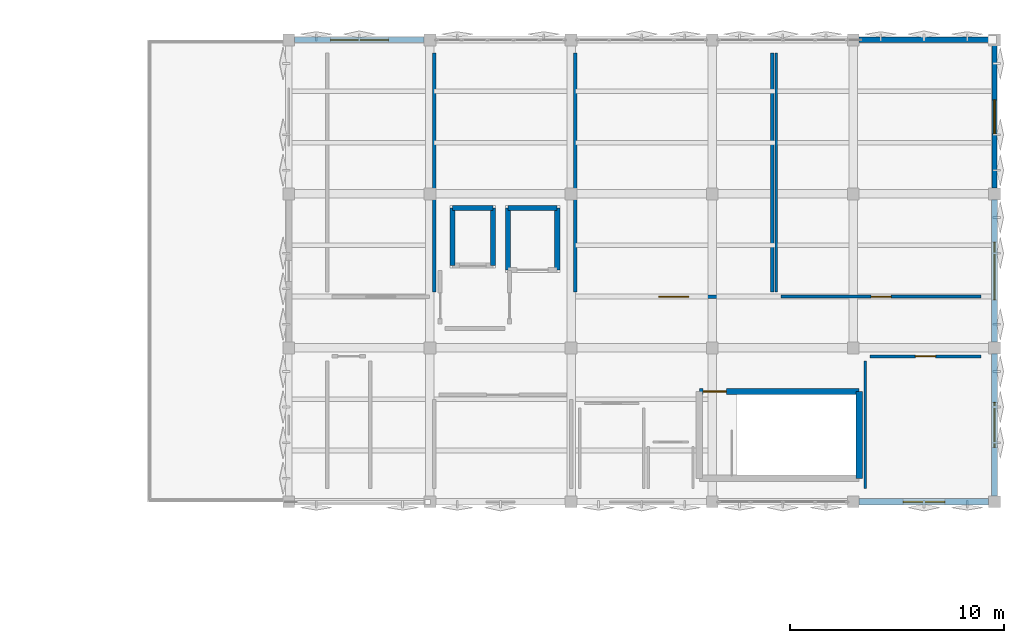
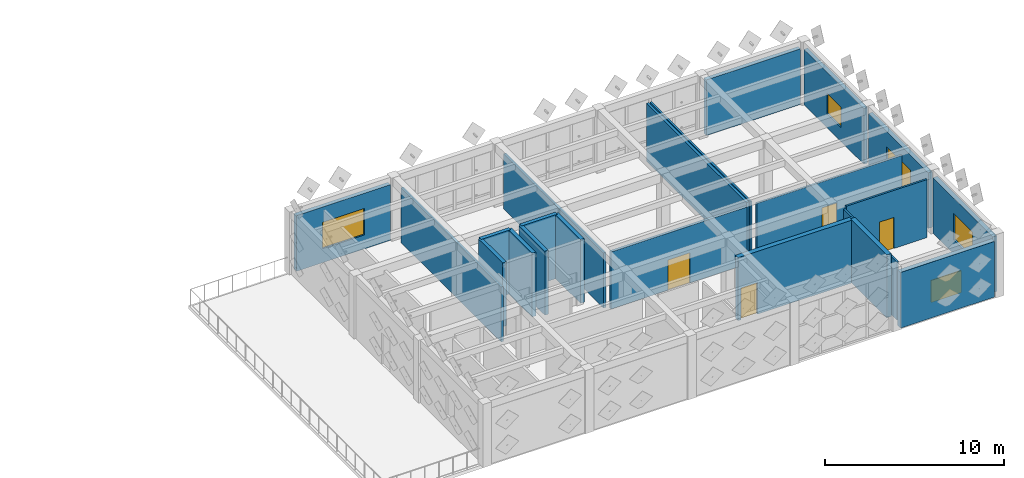
# One storey, part 23 of 29: 22 walls, 5 windows, 4 doors, 9 openings.
"""IFC4 building model written with IfcOpenShell, lengths in metres."""

from ifc_helpers import new_model, si_unit, direction, frame, frame_2d, origin, place, context, subcontext, project, spatial, rectangle, extrude, material, layer, layer_set, type_object, element, fill, save


model = new_model("IFC4")

# Units and contexts
model_context = context("Model", 3, precision=1e-05, world=origin(), true_north=direction((0.0, 1.0)))
body_context = subcontext(model_context, "Body", "Model", "MODEL_VIEW")
ifc_project = project(units=[si_unit("LENGTHUNIT", "METRE"), si_unit("AREAUNIT", "SQUARE_METRE"), si_unit("VOLUMEUNIT", "CUBIC_METRE"), si_unit("PLANEANGLEUNIT", "RADIAN"), si_unit("MASSUNIT", "GRAM", prefix="KILO")], contexts=[model_context])

# Site, building, storey
site_placement = place(None, origin())
site = spatial("IfcSite", under=ifc_project, at=site_placement, CompositionType="ELEMENT")
building_placement = place(site_placement, origin())
building = spatial("IfcBuilding", under=site, at=building_placement, Name="Kharisveld Research Institute", CompositionType="ELEMENT")
storey_placement = place(building_placement, frame((0.0, 0.0, 32.10009765625)))
storey = spatial("IfcBuildingStorey", under=building, at=storey_placement, Name="L07", CompositionType="ELEMENT", Elevation=32.10009765625)

# Walls
ifc_material_1 = material(Name="Concrete C40/50", Category="concrete")
ifc_layer_1 = layer(ifc_material_1, 0.239990234375)
ifc_layer_set_1 = layer_set([ifc_layer_1], Name="WL_CORE_240")
wall_type_1 = type_object("IfcWallType", Name="WL_CORE_240", PredefinedType="SHEAR", material=ifc_layer_set_1)
wall_1_placement = place(storey_placement, frame((135.449951171875, 50.25, 0.0), z_axis=(0.0, 0.0, 1.0), x_axis=(0.0, 1.0, 0.0)))
element("IfcWall", 1, at=wall_1_placement, inside=storey, type_object=wall_type_1, Name="WL:LFT:FFL-02:L07:W", PredefinedType="SHEAR", context=body_context, shape_type="SweptSolid", body=[
    extrude(rectangle(XDim=2.699951171875, YDim=0.239990234375, at=frame_2d((1.35009765625, 0.0))), origin(), (0.0, 0.0, 1.0), 4.349853515625),
])
wall_2_placement = place(storey_placement, frame((135.449951171875, 52.949951171875, 0.0), z_axis=(0.0, 0.0, 1.0), x_axis=(1.0, 0.0, 0.0)))
element("IfcWall", 2, at=wall_2_placement, inside=storey, type_object=wall_type_1, Name="WL:LFT:FFL-02:L07:N", PredefinedType="SHEAR", context=body_context, shape_type="SweptSolid", body=[
    extrude(rectangle(XDim=1.900146484375, YDim=0.239990234375, at=frame_2d((0.9501953125, 0.0))), origin(), (0.0, 0.0, 1.0), 4.349853515625),
])
wall_3_placement = place(storey_placement, frame((137.35009765625, 52.949951171875, 0.0), z_axis=(0.0, 0.0, 1.0), x_axis=(0.0, -1.0, 0.0)))
element("IfcWall", 3, at=wall_3_placement, inside=storey, type_object=wall_type_1, Name="WL:LFT:FFL-02:L07:E", PredefinedType="SHEAR", context=body_context, shape_type="SweptSolid", body=[
    extrude(rectangle(XDim=2.699951171875, YDim=0.239990234375, at=frame_2d((1.35009765625, 0.0))), origin(), (0.0, 0.0, 1.0), 4.349853515625),
])
wall_4_placement = place(storey_placement, frame((138.050048828125, 50.050048828125, 0.0), z_axis=(0.0, 0.0, 1.0), x_axis=(0.0, 1.0, 0.0)))
element("IfcWall", 4, at=wall_4_placement, inside=storey, type_object=wall_type_1, Name="WL:LFT:GL-01:L07:W", PredefinedType="SHEAR", context=body_context, shape_type="SweptSolid", body=[
    extrude(rectangle(XDim=2.89990234375, YDim=0.239990234375, at=frame_2d((1.449951171875, 0.0))), origin(), (0.0, 0.0, 1.0), 4.349853515625),
])
wall_5_placement = place(storey_placement, frame((138.050048828125, 52.949951171875, 0.0), z_axis=(0.0, 0.0, 1.0), x_axis=(1.0, 0.0, 0.0)))
element("IfcWall", 5, at=wall_5_placement, inside=storey, type_object=wall_type_1, Name="WL:LFT:GL-01:L07:N", PredefinedType="SHEAR", context=body_context, shape_type="SweptSolid", body=[
    extrude(rectangle(XDim=2.300048828125, YDim=0.239990234375, at=frame_2d((1.14990234375, 0.0))), origin(), (0.0, 0.0, 1.0), 4.349853515625),
])
wall_6_placement = place(storey_placement, frame((140.35009765625, 52.949951171875, 0.0), z_axis=(0.0, 0.0, 1.0), x_axis=(0.0, -1.0, 0.0)))
element("IfcWall", 6, at=wall_6_placement, inside=storey, type_object=wall_type_1, Name="WL:LFT:GL-01:L07:E", PredefinedType="SHEAR", context=body_context, shape_type="SweptSolid", body=[
    extrude(rectangle(XDim=2.89990234375, YDim=0.239990234375, at=frame_2d((1.449951171875, 0.0))), origin(), (0.0, 0.0, 1.0), 4.349853515625),
])

# Wall, opening, door
ifc_material_2 = material(Name="Concrete C40/50", Category="concrete")
ifc_layer_2 = layer(ifc_material_2, 0.300048828125)
ifc_layer_set_2 = layer_set([ifc_layer_2], Name="WL_CORE_300")
wall_type_2 = type_object("IfcWallType", Name="WL_CORE_300", PredefinedType="SHEAR", material=ifc_layer_set_2)
wall_7_placement = place(storey_placement, frame((147.0, 44.360107421875, 0.0), z_axis=(0.0, 0.0, 1.0), x_axis=(1.0, 0.0, 0.0)))
wall_7 = element("IfcWall", 7, at=wall_7_placement, inside=storey, type_object=wall_type_2, Name="WL:STR:ST3:L07:N", PredefinedType="SHEAR", context=body_context, shape_type="SweptSolid", body=[
    extrude(rectangle(XDim=7.469970703125, YDim=0.300048828125, at=frame_2d((3.73486328125, 0.0))), origin(), (0.0, 0.0, 1.0), 4.27978515625),
])
opening_1_placement = place(wall_7_placement, frame((0.179931640625, 0.0, 0.0)))
opening_1 = element("IfcOpeningElement", 8, at=opening_1_placement, cuts=wall_7, Name="Opening DS-035", PredefinedType="OPENING", context=body_context, shape_type="SweptSolid", body=[
    extrude(rectangle(XDim=1.080078125, YDim=2.14990234375, at=frame_2d((0.5400390625, 1.074951171875))), frame((0.0, 0.14990234375, 0.0), z_axis=(0.0, -1.0, 0.0), x_axis=(1.0, 0.0, 0.0)), (0.0, 0.0, 1.0), 0.300048828125),
])
ifc_material_3 = material(Name="Flush Painted Hardwood and Anodised Aluminium", Category="wood")
door_type_1 = type_object("IfcDoorType", Name="DR_FD60_108", OperationType="NOTDEFINED", PredefinedType="DOOR", material=ifc_material_3)
door_1_placement = place(opening_1_placement, origin())
door_1 = element("IfcDoor", 9, at=door_1_placement, inside=storey, type_object=door_type_1, Name="DR:STR:ST3:L07", OperationType="SINGLE_SWING_RIGHT", OverallHeight=2.14990234375, OverallWidth=1.080078125, PredefinedType="DOOR", context=body_context, shape_type="SweptSolid", body=[
    extrude(rectangle(XDim=1.080078125, YDim=2.14990234375, at=frame_2d((0.5400390625, 1.074951171875))), frame((0.0, 0.02490234375, 0.0), z_axis=(0.0, -1.0, 0.0), x_axis=(1.0, 0.0, 0.0)), (0.0, 0.0, 1.0), 0.050048828125),
])
fill(opening_1, door_1)

# Wall
wall_8_placement = place(storey_placement, frame((154.469970703125, 44.360107421875, 0.0), z_axis=(0.0, 0.0, 1.0), x_axis=(0.0, -1.0, 0.0)))
element("IfcWall", 10, at=wall_8_placement, inside=storey, type_object=wall_type_2, Name="WL:STR:ST3:L07:E", PredefinedType="SHEAR", context=body_context, shape_type="SweptSolid", body=[
    extrude(rectangle(XDim=4.06005859375, YDim=0.300048828125, at=frame_2d((2.030029296875, 0.0))), origin(), (0.0, 0.0, 1.0), 4.27978515625),
])

# Wall, opening, window
ifc_material_4 = material(Name="Lightweight Acoustic Spandrel", Category="mineral")
ifc_layer_3 = layer(ifc_material_4, 0.2451171875)
ifc_layer_set_3 = layer_set([ifc_layer_3], Name="WL_EXT_245")
wall_type_3 = type_object("IfcWallType", Name="WL_EXT_245", PredefinedType="STANDARD", material=ifc_layer_set_3)
wall_9_placement = place(storey_placement, frame((160.800048828125, 60.530029296875, 0.0), z_axis=(0.0, 0.0, 1.0), x_axis=(0.0, -1.0, 0.0)))
wall_9 = element("IfcWall", 11, at=wall_9_placement, inside=storey, type_object=wall_type_3, Name="WL:V2:L07:E3", PredefinedType="STANDARD", context=body_context, shape_type="SweptSolid", body=[
    extrude(rectangle(XDim=6.659912109375, YDim=0.2451171875, at=frame_2d((3.330078125, 0.0))), origin(), (0.0, 0.0, 1.0), 3.789794921875),
])
opening_2_placement = place(wall_9_placement, frame((2.530029296875, 0.0, 0.949951171875)))
opening_2 = element("IfcOpeningElement", 12, at=opening_2_placement, cuts=wall_9, Name="Opening WN-08", PredefinedType="OPENING", context=body_context, shape_type="SweptSolid", body=[
    extrude(rectangle(XDim=1.60009765625, YDim=1.39990234375, at=frame_2d((0.800048828125, 0.699951171875))), frame((0.0, 0.12255859375, 0.0), z_axis=(0.0, -1.0, 0.0), x_axis=(1.0, 0.0, 0.0)), (0.0, 0.0, 1.0), 0.2451171875),
])
ifc_material_5 = material(Name="Low-E Double Glazing", Category="glass")
window_type_1 = type_object("IfcWindowType", Name="WN_08", PartitioningType="DOUBLE_PANEL_VERTICAL", PredefinedType="WINDOW", material=ifc_material_5)
window_1_placement = place(opening_2_placement, origin())
window_1 = element("IfcWindow", 13, at=window_1_placement, inside=storey, type_object=window_type_1, Name="WN:V2:L07:E3", OverallHeight=1.39990234375, OverallWidth=1.60009765625, PartitioningType="SINGLE_PANEL", PredefinedType="WINDOW", context=body_context, shape_type="SweptSolid", body=[
    extrude(rectangle(XDim=1.60009765625, YDim=1.39990234375, at=frame_2d((0.800048828125, 0.699951171875))), frame((0.0, 0.030029296875, 0.0), z_axis=(0.0, -1.0, 0.0), x_axis=(1.0, 0.0, 0.0)), (0.0, 0.0, 1.0), 0.06005859375),
])
fill(opening_2, window_1)

ifc_material_6 = material(Name="Precast Concrete C40/50 Thermal Wall", Category="concrete")
ifc_layer_4 = layer(ifc_material_6, 0.260009765625)
ifc_layer_set_4 = layer_set([ifc_layer_4], Name="WL_EXT_260")
wall_type_4 = type_object("IfcWallType", Name="WL_EXT_260", PredefinedType="STANDARD", material=ifc_layer_set_4)
wall_10_placement = place(storey_placement, frame((128.070068359375, 60.800048828125, 0.0), z_axis=(0.0, 0.0, 1.0), x_axis=(1.0, 0.0, 0.0)))
wall_10 = element("IfcWall", 14, at=wall_10_placement, inside=storey, type_object=wall_type_4, Name="WL:V2:L07:N2", PredefinedType="STANDARD", context=body_context, shape_type="SweptSolid", body=[
    extrude(rectangle(XDim=6.059814453125, YDim=0.260009765625, at=frame_2d((3.02978515625, 0.0))), origin(), (0.0, 0.0, 1.0), 3.789794921875),
])
opening_3_placement = place(wall_10_placement, frame((1.679931640625, 0.0, 0.949951171875)))
opening_3 = element("IfcOpeningElement", 15, at=opening_3_placement, cuts=wall_10, Name="Opening WN-07", PredefinedType="OPENING", context=body_context, shape_type="SweptSolid", body=[
    extrude(rectangle(XDim=2.699951171875, YDim=1.800048828125, at=frame_2d((1.35009765625, 0.89990234375))), frame((0.0, 0.1298828125, 0.0), z_axis=(0.0, -1.0, 0.0), x_axis=(1.0, 0.0, 0.0)), (0.0, 0.0, 1.0), 0.260009765625),
])
ifc_material_7 = material(Name="Low-E Double Glazing", Category="glass")
window_type_2 = type_object("IfcWindowType", Name="WN_07", PartitioningType="TRIPLE_PANEL_VERTICAL", PredefinedType="WINDOW", material=ifc_material_7)
window_2_placement = place(opening_3_placement, origin())
window_2 = element("IfcWindow", 16, at=window_2_placement, inside=storey, type_object=window_type_2, Name="WN:V2:L07:N2", OverallHeight=1.800048828125, OverallWidth=2.699951171875, PartitioningType="SINGLE_PANEL", PredefinedType="WINDOW", context=body_context, shape_type="SweptSolid", body=[
    extrude(rectangle(XDim=2.699951171875, YDim=1.800048828125, at=frame_2d((1.35009765625, 0.89990234375))), frame((0.0, 0.030029296875, 0.0), z_axis=(0.0, -1.0, 0.0), x_axis=(1.0, 0.0, 0.0)), (0.0, 0.0, 1.0), 0.06005859375),
])
fill(opening_3, window_2)

# Wall
wall_11_placement = place(storey_placement, frame((154.469970703125, 60.800048828125, 0.0), z_axis=(0.0, 0.0, 1.0), x_axis=(1.0, 0.0, 0.0)))
element("IfcWall", 17, at=wall_11_placement, inside=storey, type_object=wall_type_4, Name="WL:V2:L07:N6", PredefinedType="STANDARD", context=body_context, shape_type="SweptSolid", body=[
    extrude(rectangle(XDim=6.06005859375, YDim=0.260009765625, at=frame_2d((3.030029296875, 0.0))), origin(), (0.0, 0.0, 1.0), 3.789794921875),
])

# Wall, opening, window
wall_12_placement = place(storey_placement, frame((160.800048828125, 53.330078125, 0.0), z_axis=(0.0, 0.0, 1.0), x_axis=(0.0, -1.0, 0.0)))
wall_12 = element("IfcWall", 18, at=wall_12_placement, inside=storey, type_object=wall_type_4, Name="WL:V2:L07:E2", PredefinedType="STANDARD", context=body_context, shape_type="SweptSolid", body=[
    extrude(rectangle(XDim=6.66015625, YDim=0.260009765625, at=frame_2d((3.330078125, 0.0))), origin(), (0.0, 0.0, 1.0), 3.789794921875),
])
opening_4_placement = place(wall_12_placement, frame((1.97998046875, 0.0, 0.949951171875)))
opening_4 = element("IfcOpeningElement", 19, at=opening_4_placement, cuts=wall_12, Name="Opening WN-07", PredefinedType="OPENING", context=body_context, shape_type="SweptSolid", body=[
    extrude(rectangle(XDim=2.699951171875, YDim=1.800048828125, at=frame_2d((1.35009765625, 0.89990234375))), frame((0.0, 0.1298828125, 0.0), z_axis=(0.0, -1.0, 0.0), x_axis=(1.0, 0.0, 0.0)), (0.0, 0.0, 1.0), 0.260009765625),
])
window_3_placement = place(opening_4_placement, origin())
window_3 = element("IfcWindow", 20, at=window_3_placement, inside=storey, type_object=window_type_2, Name="WN:V2:L07:E2", OverallHeight=1.800048828125, OverallWidth=2.699951171875, PartitioningType="SINGLE_PANEL", PredefinedType="WINDOW", context=body_context, shape_type="SweptSolid", body=[
    extrude(rectangle(XDim=2.699951171875, YDim=1.800048828125, at=frame_2d((1.35009765625, 0.89990234375))), frame((0.0, 0.030029296875, 0.0), z_axis=(0.0, -1.0, 0.0), x_axis=(1.0, 0.0, 0.0)), (0.0, 0.0, 1.0), 0.06005859375),
])
fill(opening_4, window_3)

ifc_material_8 = material(Name="Precast Concrete C40/50 Thermal Wall", Category="concrete")
ifc_layer_5 = layer(ifc_material_8, 0.27490234375)
ifc_layer_set_5 = layer_set([ifc_layer_5], Name="WL_EXT_275")
wall_type_5 = type_object("IfcWallType", Name="WL_EXT_275", PredefinedType="STANDARD", material=ifc_layer_set_5)
wall_13_placement = place(storey_placement, frame((160.800048828125, 46.1298828125, 0.0), z_axis=(0.0, 0.0, 1.0), x_axis=(0.0, -1.0, 0.0)))
wall_13 = element("IfcWall", 21, at=wall_13_placement, inside=storey, type_object=wall_type_5, Name="WL:V2:L07:E1", PredefinedType="STANDARD", context=body_context, shape_type="SweptSolid", body=[
    extrude(rectangle(XDim=6.659912109375, YDim=0.27490234375, at=frame_2d((3.330078125, 0.0))), origin(), (0.0, 0.0, 1.0), 3.789794921875),
])
opening_5_placement = place(wall_13_placement, frame((2.280029296875, 0.0, 0.949951171875)))
opening_5 = element("IfcOpeningElement", 22, at=opening_5_placement, cuts=wall_13, Name="Opening WN-06", PredefinedType="OPENING", context=body_context, shape_type="SweptSolid", body=[
    extrude(rectangle(XDim=2.10009765625, YDim=1.800048828125, at=frame_2d((1.050048828125, 0.89990234375))), frame((0.0, 0.137451171875, 0.0), z_axis=(0.0, -1.0, 0.0), x_axis=(1.0, 0.0, 0.0)), (0.0, 0.0, 1.0), 0.27490234375),
])
ifc_material_9 = material(Name="Low-E Double Glazing", Category="glass")
window_type_3 = type_object("IfcWindowType", Name="WN_06", PartitioningType="DOUBLE_PANEL_VERTICAL", PredefinedType="WINDOW", material=ifc_material_9)
window_4_placement = place(opening_5_placement, origin())
window_4 = element("IfcWindow", 23, at=window_4_placement, inside=storey, type_object=window_type_3, Name="WN:V2:L07:E1", OverallHeight=1.800048828125, OverallWidth=2.10009765625, PartitioningType="SINGLE_PANEL", PredefinedType="WINDOW", context=body_context, shape_type="SweptSolid", body=[
    extrude(rectangle(XDim=2.10009765625, YDim=1.800048828125, at=frame_2d((1.050048828125, 0.89990234375))), frame((0.0, 0.030029296875, 0.0), z_axis=(0.0, -1.0, 0.0), x_axis=(1.0, 0.0, 0.0)), (0.0, 0.0, 1.0), 0.06005859375),
])
fill(opening_5, window_4)

ifc_material_10 = material(Name="Precast Concrete C40/50 Ochre Panel", Category="concrete")
ifc_layer_6 = layer(ifc_material_10, 0.304931640625)
ifc_layer_set_6 = layer_set([ifc_layer_6], Name="WL_EXT_305")
wall_type_6 = type_object("IfcWallType", Name="WL_EXT_305", PredefinedType="STANDARD", material=ifc_layer_set_6)
wall_14_placement = place(storey_placement, frame((160.530029296875, 39.199951171875, 0.0), z_axis=(0.0, 0.0, 1.0), x_axis=(-1.0, 0.0, 0.0)))
wall_14 = element("IfcWall", 24, at=wall_14_placement, inside=storey, type_object=wall_type_6, Name="WL:V2:L07:S7", PredefinedType="STANDARD", context=body_context, shape_type="SweptSolid", body=[
    extrude(rectangle(XDim=6.06005859375, YDim=0.304931640625, at=frame_2d((3.030029296875, 0.0))), origin(), (0.0, 0.0, 1.0), 3.789794921875),
])
opening_6_placement = place(wall_14_placement, frame((2.054931640625, 0.0, 0.949951171875)))
opening_6 = element("IfcOpeningElement", 25, at=opening_6_placement, cuts=wall_14, Name="Opening WN-12", PredefinedType="OPENING", context=body_context, shape_type="SweptSolid", body=[
    extrude(rectangle(XDim=1.949951171875, YDim=1.5, at=frame_2d((0.97509765625, 0.75))), frame((0.0, 0.15234375, 0.0), z_axis=(0.0, -1.0, 0.0), x_axis=(1.0, 0.0, 0.0)), (0.0, 0.0, 1.0), 0.304931640625),
])
ifc_material_11 = material(Name="Low-E Double Glazing", Category="glass")
window_type_4 = type_object("IfcWindowType", Name="WN_12", PartitioningType="DOUBLE_PANEL_VERTICAL", PredefinedType="WINDOW", material=ifc_material_11)
window_5_placement = place(opening_6_placement, origin())
window_5 = element("IfcWindow", 26, at=window_5_placement, inside=storey, type_object=window_type_4, Name="WN:V2:L07:S7", OverallHeight=1.5, OverallWidth=1.949951171875, PartitioningType="SINGLE_PANEL", PredefinedType="WINDOW", context=body_context, shape_type="SweptSolid", body=[
    extrude(rectangle(XDim=1.949951171875, YDim=1.5, at=frame_2d((0.97509765625, 0.75))), frame((0.0, 0.030029296875, 0.0), z_axis=(0.0, -1.0, 0.0), x_axis=(1.0, 0.0, 0.0)), (0.0, 0.0, 1.0), 0.06005859375),
])
fill(opening_6, window_5)

# Wall
ifc_material_12 = material(Name="Acoustic Drywall Partition", Category="mineral")
ifc_layer_7 = layer(ifc_material_12, 0.1650390625)
ifc_layer_set_7 = layer_set([ifc_layer_7], Name="WL_LAB_165")
wall_type_7 = type_object("IfcWallType", Name="WL_LAB_165", PredefinedType="PARTITIONING", material=ifc_layer_set_7)
wall_15_placement = place(storey_placement, frame((134.60009765625, 49.02001953125, 0.0), z_axis=(0.0, 0.0, 1.0), x_axis=(0.0, 1.0, 0.0)))
element("IfcWall", 27, at=wall_15_placement, inside=storey, type_object=wall_type_7, Name="WL:RM:V2:L07:WLA:E", PredefinedType="PARTITIONING", context=body_context, shape_type="SweptSolid", body=[
    extrude(rectangle(XDim=11.159912109375, YDim=0.1650390625, at=frame_2d((5.580078125, 0.0))), origin(), (0.0, 0.0, 1.0), 3.739990234375),
])

# Wall, opening, door
wall_16_placement = place(storey_placement, frame((141.419921875, 48.800048828125, 0.0), z_axis=(0.0, 0.0, 1.0), x_axis=(1.0, 0.0, 0.0)))
wall_16 = element("IfcWall", 28, at=wall_16_placement, inside=storey, type_object=wall_type_7, Name="WL:RM:V2:L07:WLB:S", PredefinedType="PARTITIONING", context=body_context, shape_type="SweptSolid", body=[
    extrude(rectangle(XDim=8.760009765625, YDim=0.1650390625, at=frame_2d((4.3798828125, 0.0))), origin(), (0.0, 0.0, 1.0), 3.889892578125),
])
opening_7_placement = place(wall_16_placement, frame((3.669921875, 0.0, 0.0)))
opening_7 = element("IfcOpeningElement", 29, at=opening_7_placement, cuts=wall_16, Name="Opening DI-258", PredefinedType="OPENING", context=body_context, shape_type="SweptSolid", body=[
    extrude(rectangle(XDim=1.419921875, YDim=2.06005859375, at=frame_2d((0.7099609375, 1.030029296875))), frame((0.0, 0.08251953125, 0.0), z_axis=(0.0, -1.0, 0.0), x_axis=(1.0, 0.0, 0.0)), (0.0, 0.0, 1.0), 0.1650390625),
])
ifc_material_13 = material(Name="Flush Painted Hardwood and Anodised Aluminium", Category="wood")
door_type_2 = type_object("IfcDoorType", Name="DR_VAR_18", OperationType="NOTDEFINED", PredefinedType="DOOR", material=ifc_material_13)
door_2_placement = place(opening_7_placement, origin())
door_2 = element("IfcDoor", 30, at=door_2_placement, inside=storey, type_object=door_type_2, Name="DR:RM:V2:L07:WLB:S", OperationType="SINGLE_SWING_LEFT", OverallHeight=2.06005859375, OverallWidth=1.419921875, PredefinedType="DOOR", context=body_context, shape_type="SweptSolid", body=[
    extrude(rectangle(XDim=1.419921875, YDim=2.06005859375, at=frame_2d((0.7099609375, 1.030029296875))), frame((0.0, 0.02490234375, 0.0), z_axis=(0.0, -1.0, 0.0), x_axis=(1.0, 0.0, 0.0)), (0.0, 0.0, 1.0), 0.050048828125),
])
fill(opening_7, door_2)

# Walls
wall_17_placement = place(storey_placement, frame((150.39990234375, 49.02001953125, 0.0), z_axis=(0.0, 0.0, 1.0), x_axis=(0.0, 1.0, 0.0)))
element("IfcWall", 31, at=wall_17_placement, inside=storey, type_object=wall_type_7, Name="WL:RM:V2:L07:WLB:E", PredefinedType="PARTITIONING", context=body_context, shape_type="SweptSolid", body=[
    extrude(rectangle(XDim=11.159912109375, YDim=0.1650390625, at=frame_2d((5.580078125, 0.0))), origin(), (0.0, 0.0, 1.0), 3.949951171875),
])
wall_18_placement = place(storey_placement, frame((141.199951171875, 60.179931640625, 0.0), z_axis=(0.0, 0.0, 1.0), x_axis=(0.0, -1.0, 0.0)))
element("IfcWall", 32, at=wall_18_placement, inside=storey, type_object=wall_type_7, Name="WL:RM:V2:L07:WLB:W", PredefinedType="PARTITIONING", context=body_context, shape_type="SweptSolid", body=[
    extrude(rectangle(XDim=11.159912109375, YDim=0.1650390625, at=frame_2d((5.580078125, 0.0))), origin(), (0.0, 0.0, 1.0), 3.739990234375),
])

# Wall, opening, door
ifc_material_14 = material(Name="Insulated Stud Partition", Category="mineral")
ifc_layer_8 = layer(ifc_material_14, 0.125)
ifc_layer_set_8 = layer_set([ifc_layer_8], Name="WL_OFF_125")
wall_type_8 = type_object("IfcWallType", Name="WL_OFF_125", PredefinedType="PARTITIONING", material=ifc_layer_set_8)
wall_19_placement = place(storey_placement, frame((150.820068359375, 48.800048828125, 0.0), z_axis=(0.0, 0.0, 1.0), x_axis=(1.0, 0.0, 0.0)))
wall_19 = element("IfcWall", 33, at=wall_19_placement, inside=storey, type_object=wall_type_8, Name="WL:RM:V2:L07:WLD:S", PredefinedType="PARTITIONING", context=body_context, shape_type="SweptSolid", body=[
    extrude(rectangle(XDim=9.35986328125, YDim=0.125, at=frame_2d((4.679931640625, 0.0))), origin(), (0.0, 0.0, 1.0), 3.889892578125),
])
opening_8_placement = place(wall_19_placement, frame((4.2099609375, 0.0, 0.0)))
opening_8 = element("IfcOpeningElement", 34, at=opening_8_placement, cuts=wall_19, Name="Opening DI-259", PredefinedType="OPENING", context=body_context, shape_type="SweptSolid", body=[
    extrude(rectangle(XDim=0.93994140625, YDim=2.1201171875, at=frame_2d((0.469970703125, 1.06005859375))), frame((0.0, 0.0625, 0.0), z_axis=(0.0, -1.0, 0.0), x_axis=(1.0, 0.0, 0.0)), (0.0, 0.0, 1.0), 0.125),
])
ifc_material_15 = material(Name="Flush Painted Hardwood and Anodised Aluminium", Category="wood")
door_type_3 = type_object("IfcDoorType", Name="DR_OFF_094", OperationType="NOTDEFINED", PredefinedType="DOOR", material=ifc_material_15)
door_3_placement = place(opening_8_placement, origin())
door_3 = element("IfcDoor", 35, at=door_3_placement, inside=storey, type_object=door_type_3, Name="DR:RM:V2:L07:WLD:S", OperationType="SINGLE_SWING_RIGHT", OverallHeight=2.1201171875, OverallWidth=0.93994140625, PredefinedType="DOOR", context=body_context, shape_type="SweptSolid", body=[
    extrude(rectangle(XDim=0.93994140625, YDim=2.1201171875, at=frame_2d((0.469970703125, 1.06005859375))), frame((0.0, 0.02490234375, 0.0), z_axis=(0.0, -1.0, 0.0), x_axis=(1.0, 0.0, 0.0)), (0.0, 0.0, 1.0), 0.050048828125),
])
fill(opening_8, door_3)

# Wall
wall_20_placement = place(storey_placement, frame((150.60009765625, 60.179931640625, 0.0), z_axis=(0.0, 0.0, 1.0), x_axis=(0.0, -1.0, 0.0)))
element("IfcWall", 36, at=wall_20_placement, inside=storey, type_object=wall_type_8, Name="WL:RM:V2:L07:WLD:W", PredefinedType="PARTITIONING", context=body_context, shape_type="SweptSolid", body=[
    extrude(rectangle(XDim=11.159912109375, YDim=0.125, at=frame_2d((5.580078125, 0.0))), origin(), (0.0, 0.0, 1.0), 3.949951171875),
])

# Wall, opening, door
wall_21_placement = place(storey_placement, frame((160.179931640625, 46.0, 0.0), z_axis=(0.0, 0.0, 1.0), x_axis=(-1.0, 0.0, 0.0)))
wall_21 = element("IfcWall", 37, at=wall_21_placement, inside=storey, type_object=wall_type_8, Name="WL:RM:V2:L07:SEM:N", PredefinedType="PARTITIONING", context=body_context, shape_type="SweptSolid", body=[
    extrude(rectangle(XDim=5.2099609375, YDim=0.125, at=frame_2d((2.60498046875, 0.0))), origin(), (0.0, 0.0, 1.0), 3.949951171875),
])
opening_9_placement = place(wall_21_placement, frame((2.135009765625, 0.0, 0.0)))
opening_9 = element("IfcOpeningElement", 38, at=opening_9_placement, cuts=wall_21, Name="Opening DI-262", PredefinedType="OPENING", context=body_context, shape_type="SweptSolid", body=[
    extrude(rectangle(XDim=0.93994140625, YDim=2.1201171875, at=frame_2d((0.469970703125, 1.06005859375))), frame((0.0, 0.0625, 0.0), z_axis=(0.0, -1.0, 0.0), x_axis=(1.0, 0.0, 0.0)), (0.0, 0.0, 1.0), 0.125),
])
door_4_placement = place(opening_9_placement, origin())
door_4 = element("IfcDoor", 39, at=door_4_placement, inside=storey, type_object=door_type_3, Name="DR:RM:V2:L07:SEM:N", OperationType="SINGLE_SWING_LEFT", OverallHeight=2.1201171875, OverallWidth=0.93994140625, PredefinedType="DOOR", context=body_context, shape_type="SweptSolid", body=[
    extrude(rectangle(XDim=0.93994140625, YDim=2.1201171875, at=frame_2d((0.469970703125, 1.06005859375))), frame((0.0, 0.02490234375, 0.0), z_axis=(0.0, -1.0, 0.0), x_axis=(1.0, 0.0, 0.0)), (0.0, 0.0, 1.0), 0.050048828125),
])
fill(opening_9, door_4)

# Wall
wall_22_placement = place(storey_placement, frame((154.75, 45.780029296875, 0.0), z_axis=(0.0, 0.0, 1.0), x_axis=(0.0, -1.0, 0.0)))
element("IfcWall", 40, at=wall_22_placement, inside=storey, type_object=wall_type_8, Name="WL:RM:V2:L07:SEM:W", PredefinedType="PARTITIONING", context=body_context, shape_type="SweptSolid", body=[
    extrude(rectangle(XDim=5.9599609375, YDim=0.125, at=frame_2d((2.97998046875, 0.0))), origin(), (0.0, 0.0, 1.0), 3.949951171875),
])

save(model, "model.ifc")
